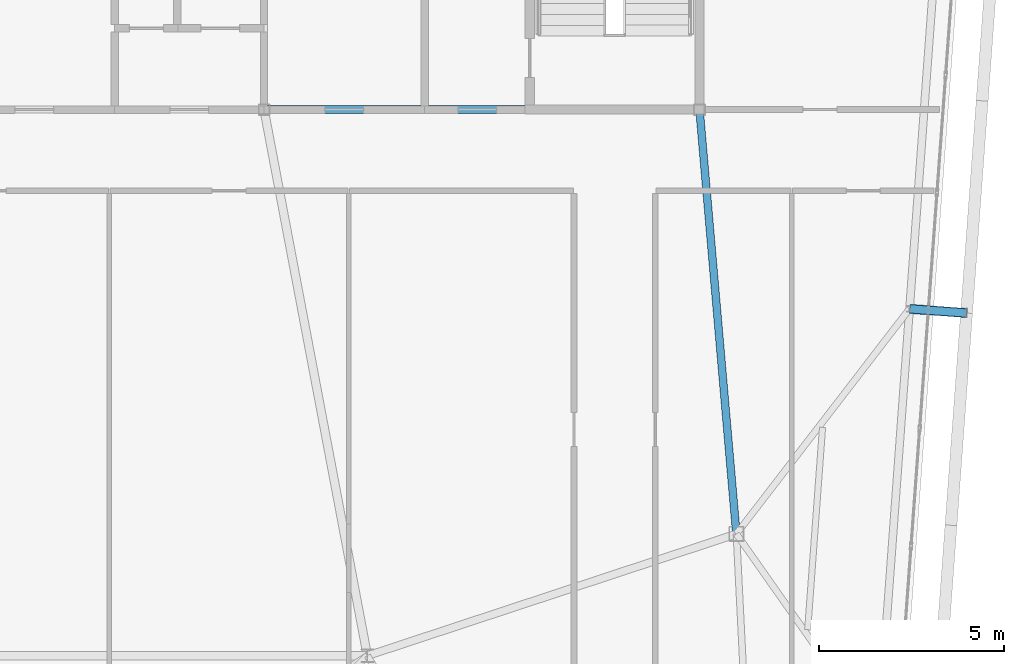
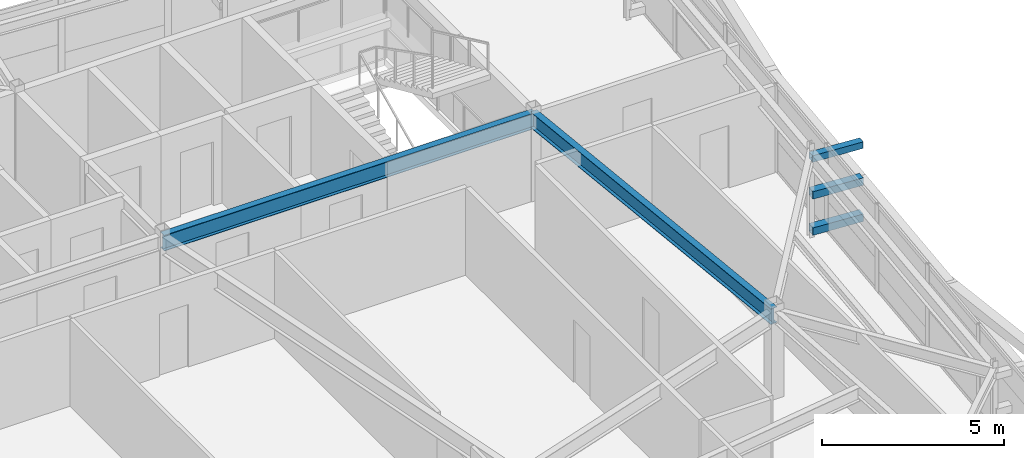
# One storey, part 22 of 42: 3 members, 2 beams.
"""IFC4 building model written with IfcOpenShell, lengths in metres."""

from ifc_helpers import new_model, si_unit, direction, frame, origin, origin_2d, place, context, subcontext, project, spatial, hollow_rectangle, i_section, extrude, source, transform, mapped, material, material_profile, profile_set, type_object, element, save


model = new_model("IFC4")

# Units and contexts
model_context = context("Model", 3, precision=1e-05, world=origin(), true_north=direction((0.0, 1.0)))
body_context = subcontext(model_context, "Body", "Model", "MODEL_VIEW")
ifc_project = project(units=[si_unit("LENGTHUNIT", "METRE"), si_unit("AREAUNIT", "SQUARE_METRE"), si_unit("VOLUMEUNIT", "CUBIC_METRE"), si_unit("PLANEANGLEUNIT", "RADIAN"), si_unit("MASSUNIT", "GRAM", prefix="KILO")], contexts=[model_context])

# Site, building, storey
site_placement = place(None, origin())
site = spatial("IfcSite", under=ifc_project, at=site_placement, CompositionType="ELEMENT")
building_placement = place(site_placement, origin())
building = spatial("IfcBuilding", under=site, at=building_placement, Name="Taldren Reach Tower", CompositionType="ELEMENT")
storey_placement = place(building_placement, frame((0.0, 0.0, 214.550048828125)))
storey = spatial("IfcBuildingStorey", under=building, at=storey_placement, Name="L65", CompositionType="ELEMENT", Elevation=214.550048828125)

# Beams
ifc_material_1 = material(Name="Steel Gr 350 (350PLUS)", Category="steel")
ifc_material_profile_1 = material_profile(ifc_material_1, i_section(OverallWidth=0.208984375, OverallDepth=0.532958984375, WebThickness=0.01025390625, FlangeThickness=0.015625, at=origin_2d()), Name="530UB92.4")
ifc_profile_set_1 = profile_set([ifc_material_profile_1], Name="Steel Gr 350 (350PLUS)")
beam_type = type_object("IfcBeamType", Name="BM-UB530A", PredefinedType="BEAM", material=ifc_profile_set_1)
shared_shape_1 = source(origin(), body_context, "Body", "SweptSolid", [
    extrude(i_section(OverallWidth=0.208984375, OverallDepth=0.532958984375, WebThickness=0.01025390625, FlangeThickness=0.015625, at=origin_2d()), origin(), (0.0, 0.0, 1.0), 11.800048828125),
])
beam_1_placement = place(storey_placement, frame((39.199951171875, 24.0, 2.663330078125), z_axis=(1.0, 0.0, 0.0), x_axis=(0.0, 1.0, 0.0)))
element("IfcBeam", 1, at=beam_1_placement, inside=storey, type_object=beam_type, Name="Core-spine girder L65-SP03", PredefinedType="BEAM", context=body_context, shape_type="MappedRepresentation", body=[
    mapped(shared_shape_1, transform((0.0, 0.0, 0.0), scale=1.0)),
])
shared_shape_2 = source(origin(), body_context, "Body", "SweptSolid", [
    extrude(i_section(OverallWidth=0.208984375, OverallDepth=0.532958984375, WebThickness=0.01025390625, FlangeThickness=0.015625, at=origin_2d()), origin(), (0.0, 0.0, 1.0), 11.54345703125),
])
beam_2_placement = place(storey_placement, frame((52.0, 12.5, 2.663330078125), z_axis=(-0.086629616365, 0.996240588196, 0.0), x_axis=(-0.996240588196, -0.086629616365, 0.0)))
element("IfcBeam", 2, at=beam_2_placement, inside=storey, type_object=beam_type, Name="Core-spine girder L65-SP13", PredefinedType="BEAM", context=body_context, shape_type="MappedRepresentation", body=[
    mapped(shared_shape_2, transform((0.0, 0.0, 0.0), scale=1.0)),
])

# Members
ifc_material_2 = material(Name="Steel Gr 450 (C450L0)", Category="steel")
ifc_material_profile_2 = material_profile(ifc_material_2, hollow_rectangle(XDim=0.219970703125, YDim=0.219970703125, WallThickness=0.00830078125, at=origin_2d()), Name="220x220x8.2SHS")
ifc_profile_set_2 = profile_set([ifc_material_profile_2], Name="Steel Gr 450 (C450L0)")
member_type_1 = type_object("IfcMemberType", Name="MB-TIE219", PredefinedType="STRUT", material=ifc_profile_set_2)
shared_shape_3 = source(origin(), body_context, "Body", "SweptSolid", [
    extrude(hollow_rectangle(XDim=0.219970703125, YDim=0.219970703125, WallThickness=0.00830078125, at=origin_2d()), origin(), (0.0, 0.0, 1.0), 1.5458984375),
])
member_placement = place(storey_placement, frame((56.6953125, 18.599365234375, 2.64990234375), z_axis=(0.99732305975, -0.073121231459, 0.0), x_axis=(0.073121231459, 0.99732305975, 0.0)))
element("IfcMember", 3, at=member_placement, inside=storey, type_object=member_type_1, Name="Exoskeleton diaphragm tie strut B5-E2 L65", PredefinedType="STRUT", context=body_context, shape_type="MappedRepresentation", body=[
    mapped(shared_shape_3, transform((0.0, 0.0, 0.0), scale=1.0)),
])
ifc_material_3 = material(Name="Steel Gr 350 (C350L0)", Category="steel")
ifc_material_profile_3 = material_profile(ifc_material_3, hollow_rectangle(XDim=0.25, YDim=0.25, WallThickness=0.010009765625, at=origin_2d()), Name="250x250x10.0SHS")
ifc_profile_set_3 = profile_set([ifc_material_profile_3], Name="Steel Gr 350 (C350L0)")
member_type_2 = type_object("IfcMemberType", Name="MB-POST250", PredefinedType="POST", material=ifc_profile_set_3)
shared_shape_4 = source(origin(), body_context, "Body", "SweptSolid", [
    extrude(hollow_rectangle(XDim=0.25, YDim=0.25, WallThickness=0.010009765625, at=origin_2d()), origin(), (0.0, 0.0, 1.0), 1.5458984375),
])
for number, where, z_axis, x_axis, name in (
    (4, (56.6953125, 18.599365234375, 0.219970703125), (0.99732305975, -0.073121231459, 0.0), (0.073121231459, 0.99732305975, 0.0), "Exoskeleton base diaphragm tie strut B5-E2 L65"),
    (5, (56.6953125, 18.599365234375, 1.43505859375), (0.99732305975, -0.073121231459, 0.0), (0.073121231459, 0.99732305975, 0.0), "Exoskeleton mid-tier diaphragm tie B5-E2 L65"),
):
    element("IfcMember", number, at=place(storey_placement, frame(where, z_axis=z_axis, x_axis=x_axis)), inside=storey, type_object=member_type_2, Name=name, PredefinedType="POST", context=body_context, shape_type="MappedRepresentation", body=[
        mapped(shared_shape_4, transform((0.0, 0.0, 0.0), scale=1.0)),
    ])

save(model, "model.ifc")
